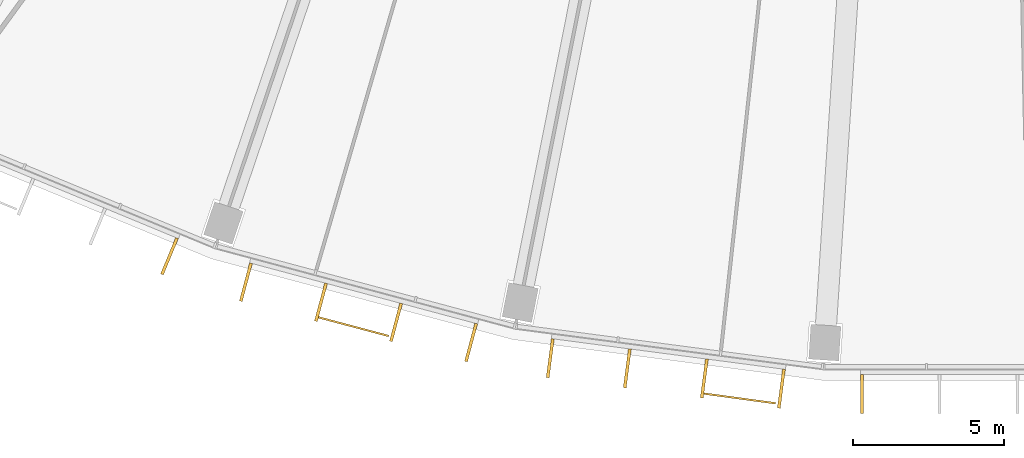
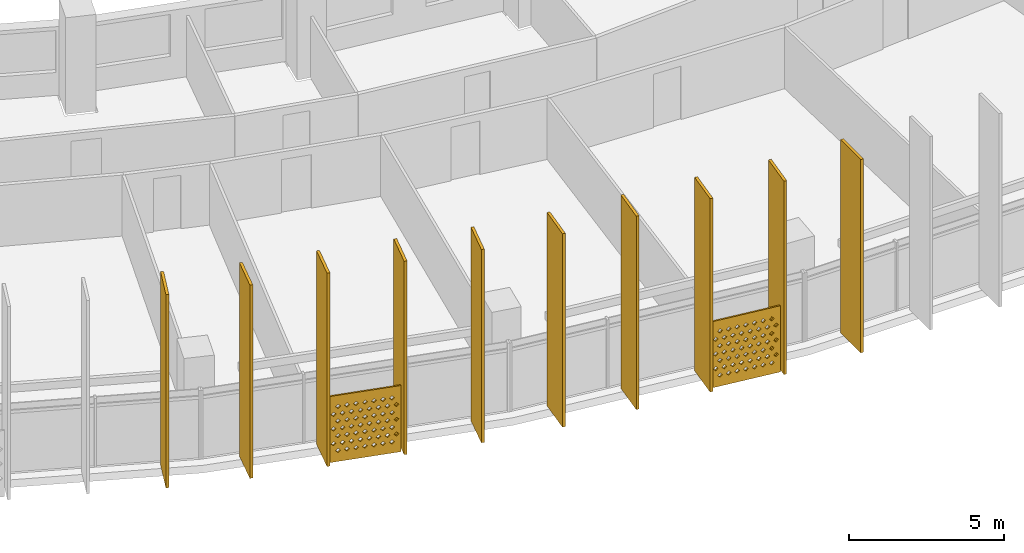
# One storey, part 24 of 30: 12 shading devices.
"""IFC4 building model written with IfcOpenShell, lengths in metres."""

from ifc_helpers import new_model, si_unit, direction, frame, origin, origin_2d, place, context, subcontext, project, spatial, polyline, rectangle, outline, extrude, material, material_profile, profile_set, type_object, element, save


model = new_model("IFC4")

# Units and contexts
model_context = context("Model", 3, precision=1e-05, world=origin(), true_north=direction((0.0, 1.0)))
body_context = subcontext(model_context, "Body", "Model", "MODEL_VIEW")
ifc_project = project(units=[si_unit("LENGTHUNIT", "METRE"), si_unit("AREAUNIT", "SQUARE_METRE"), si_unit("VOLUMEUNIT", "CUBIC_METRE"), si_unit("PLANEANGLEUNIT", "RADIAN"), si_unit("MASSUNIT", "GRAM", prefix="KILO")], contexts=[model_context])

# Site, building, storey
site_placement = place(None, origin())
site = spatial("IfcSite", under=ifc_project, at=site_placement, CompositionType="ELEMENT")
building_placement = place(site_placement, origin())
building = spatial("IfcBuilding", under=site, at=building_placement, Name="Qamariyya Broadcast Tower", CompositionType="ELEMENT")
storey_placement = place(building_placement, frame((0.0, 0.0, 203.699951171875)))
storey = spatial("IfcBuildingStorey", under=building, at=storey_placement, Name="L48", CompositionType="ELEMENT", Elevation=203.699951171875)

# Shading devices
ifc_material_1 = material(Name="Perforated glazed terracotta", Category="masonry")
ifc_material_profile_1 = material_profile(ifc_material_1, outline(polyline([(-1.199951171875, -1.300048828125), (1.199951171875, -1.300048828125), (1.199951171875, 1.300048828125), (-1.199951171875, 1.300048828125), (-1.199951171875, -1.300048828125)]), holes=[polyline([(-0.81494140625, -0.86669921875), (-0.89990234375, -0.78173828125), (-0.985107421875, -0.86669921875), (-0.89990234375, -0.95166015625), (-0.81494140625, -0.86669921875)]), polyline([(-0.514892578125, -0.86669921875), (-0.60009765625, -0.78173828125), (-0.68505859375, -0.86669921875), (-0.60009765625, -0.95166015625), (-0.514892578125, -0.86669921875)]), polyline([(-0.215087890625, -0.86669921875), (-0.300048828125, -0.78173828125), (-0.385009765625, -0.86669921875), (-0.300048828125, -0.95166015625), (-0.215087890625, -0.86669921875)]), polyline([(0.0849609375, -0.86669921875), (0.0, -0.78173828125), (-0.0849609375, -0.86669921875), (0.0, -0.95166015625), (0.0849609375, -0.86669921875)]), polyline([(0.385009765625, -0.86669921875), (0.300048828125, -0.78173828125), (0.215087890625, -0.86669921875), (0.300048828125, -0.95166015625), (0.385009765625, -0.86669921875)]), polyline([(0.68505859375, -0.86669921875), (0.60009765625, -0.78173828125), (0.514892578125, -0.86669921875), (0.60009765625, -0.95166015625), (0.68505859375, -0.86669921875)]), polyline([(0.985107421875, -0.86669921875), (0.89990234375, -0.78173828125), (0.81494140625, -0.86669921875), (0.89990234375, -0.95166015625), (0.985107421875, -0.86669921875)]), polyline([(-0.965087890625, -0.577880859375), (-1.050048828125, -0.49267578125), (-1.135009765625, -0.577880859375), (-1.050048828125, -0.662841796875), (-0.965087890625, -0.577880859375)]), polyline([(-0.6650390625, -0.577880859375), (-0.75, -0.49267578125), (-0.8349609375, -0.577880859375), (-0.75, -0.662841796875), (-0.6650390625, -0.577880859375)]), polyline([(-0.364990234375, -0.577880859375), (-0.449951171875, -0.49267578125), (-0.534912109375, -0.577880859375), (-0.449951171875, -0.662841796875), (-0.364990234375, -0.577880859375)]), polyline([(-0.06494140625, -0.577880859375), (-0.14990234375, -0.49267578125), (-0.235107421875, -0.577880859375), (-0.14990234375, -0.662841796875), (-0.06494140625, -0.577880859375)]), polyline([(0.235107421875, -0.577880859375), (0.14990234375, -0.49267578125), (0.06494140625, -0.577880859375), (0.14990234375, -0.662841796875), (0.235107421875, -0.577880859375)]), polyline([(0.534912109375, -0.577880859375), (0.449951171875, -0.49267578125), (0.364990234375, -0.577880859375), (0.449951171875, -0.662841796875), (0.534912109375, -0.577880859375)]), polyline([(0.8349609375, -0.577880859375), (0.75, -0.49267578125), (0.6650390625, -0.577880859375), (0.75, -0.662841796875), (0.8349609375, -0.577880859375)]), polyline([(1.135009765625, -0.577880859375), (1.050048828125, -0.49267578125), (0.965087890625, -0.577880859375), (1.050048828125, -0.662841796875), (1.135009765625, -0.577880859375)]), polyline([(-0.81494140625, -0.288818359375), (-0.89990234375, -0.203857421875), (-0.985107421875, -0.288818359375), (-0.89990234375, -0.373779296875), (-0.81494140625, -0.288818359375)]), polyline([(-0.514892578125, -0.288818359375), (-0.60009765625, -0.203857421875), (-0.68505859375, -0.288818359375), (-0.60009765625, -0.373779296875), (-0.514892578125, -0.288818359375)]), polyline([(-0.215087890625, -0.288818359375), (-0.300048828125, -0.203857421875), (-0.385009765625, -0.288818359375), (-0.300048828125, -0.373779296875), (-0.215087890625, -0.288818359375)]), polyline([(0.0849609375, -0.288818359375), (0.0, -0.203857421875), (-0.0849609375, -0.288818359375), (0.0, -0.373779296875), (0.0849609375, -0.288818359375)]), polyline([(0.385009765625, -0.288818359375), (0.300048828125, -0.203857421875), (0.215087890625, -0.288818359375), (0.300048828125, -0.373779296875), (0.385009765625, -0.288818359375)]), polyline([(0.68505859375, -0.288818359375), (0.60009765625, -0.203857421875), (0.514892578125, -0.288818359375), (0.60009765625, -0.373779296875), (0.68505859375, -0.288818359375)]), polyline([(0.985107421875, -0.288818359375), (0.89990234375, -0.203857421875), (0.81494140625, -0.288818359375), (0.89990234375, -0.373779296875), (0.985107421875, -0.288818359375)]), polyline([(-0.965087890625, 0.0), (-1.050048828125, 0.0849609375), (-1.135009765625, 0.0), (-1.050048828125, -0.0849609375), (-0.965087890625, 0.0)]), polyline([(-0.6650390625, 0.0), (-0.75, 0.0849609375), (-0.8349609375, 0.0), (-0.75, -0.0849609375), (-0.6650390625, 0.0)]), polyline([(-0.364990234375, 0.0), (-0.449951171875, 0.0849609375), (-0.534912109375, 0.0), (-0.449951171875, -0.0849609375), (-0.364990234375, 0.0)]), polyline([(-0.06494140625, 0.0), (-0.14990234375, 0.0849609375), (-0.235107421875, 0.0), (-0.14990234375, -0.0849609375), (-0.06494140625, 0.0)]), polyline([(0.235107421875, 0.0), (0.14990234375, 0.0849609375), (0.06494140625, 0.0), (0.14990234375, -0.0849609375), (0.235107421875, 0.0)]), polyline([(0.534912109375, 0.0), (0.449951171875, 0.0849609375), (0.364990234375, 0.0), (0.449951171875, -0.0849609375), (0.534912109375, 0.0)]), polyline([(0.8349609375, 0.0), (0.75, 0.0849609375), (0.6650390625, 0.0), (0.75, -0.0849609375), (0.8349609375, 0.0)]), polyline([(1.135009765625, 0.0), (1.050048828125, 0.0849609375), (0.965087890625, 0.0), (1.050048828125, -0.0849609375), (1.135009765625, 0.0)]), polyline([(-0.81494140625, 0.288818359375), (-0.89990234375, 0.373779296875), (-0.985107421875, 0.288818359375), (-0.89990234375, 0.203857421875), (-0.81494140625, 0.288818359375)]), polyline([(-0.514892578125, 0.288818359375), (-0.60009765625, 0.373779296875), (-0.68505859375, 0.288818359375), (-0.60009765625, 0.203857421875), (-0.514892578125, 0.288818359375)]), polyline([(-0.215087890625, 0.288818359375), (-0.300048828125, 0.373779296875), (-0.385009765625, 0.288818359375), (-0.300048828125, 0.203857421875), (-0.215087890625, 0.288818359375)]), polyline([(0.0849609375, 0.288818359375), (0.0, 0.373779296875), (-0.0849609375, 0.288818359375), (0.0, 0.203857421875), (0.0849609375, 0.288818359375)]), polyline([(0.385009765625, 0.288818359375), (0.300048828125, 0.373779296875), (0.215087890625, 0.288818359375), (0.300048828125, 0.203857421875), (0.385009765625, 0.288818359375)]), polyline([(0.68505859375, 0.288818359375), (0.60009765625, 0.373779296875), (0.514892578125, 0.288818359375), (0.60009765625, 0.203857421875), (0.68505859375, 0.288818359375)]), polyline([(0.985107421875, 0.288818359375), (0.89990234375, 0.373779296875), (0.81494140625, 0.288818359375), (0.89990234375, 0.203857421875), (0.985107421875, 0.288818359375)]), polyline([(-0.965087890625, 0.577880859375), (-1.050048828125, 0.662841796875), (-1.135009765625, 0.577880859375), (-1.050048828125, 0.49267578125), (-0.965087890625, 0.577880859375)]), polyline([(-0.6650390625, 0.577880859375), (-0.75, 0.662841796875), (-0.8349609375, 0.577880859375), (-0.75, 0.49267578125), (-0.6650390625, 0.577880859375)]), polyline([(-0.364990234375, 0.577880859375), (-0.449951171875, 0.662841796875), (-0.534912109375, 0.577880859375), (-0.449951171875, 0.49267578125), (-0.364990234375, 0.577880859375)]), polyline([(-0.06494140625, 0.577880859375), (-0.14990234375, 0.662841796875), (-0.235107421875, 0.577880859375), (-0.14990234375, 0.49267578125), (-0.06494140625, 0.577880859375)]), polyline([(0.235107421875, 0.577880859375), (0.14990234375, 0.662841796875), (0.06494140625, 0.577880859375), (0.14990234375, 0.49267578125), (0.235107421875, 0.577880859375)]), polyline([(0.534912109375, 0.577880859375), (0.449951171875, 0.662841796875), (0.364990234375, 0.577880859375), (0.449951171875, 0.49267578125), (0.534912109375, 0.577880859375)]), polyline([(0.8349609375, 0.577880859375), (0.75, 0.662841796875), (0.6650390625, 0.577880859375), (0.75, 0.49267578125), (0.8349609375, 0.577880859375)]), polyline([(1.135009765625, 0.577880859375), (1.050048828125, 0.662841796875), (0.965087890625, 0.577880859375), (1.050048828125, 0.49267578125), (1.135009765625, 0.577880859375)]), polyline([(-0.81494140625, 0.86669921875), (-0.89990234375, 0.95166015625), (-0.985107421875, 0.86669921875), (-0.89990234375, 0.78173828125), (-0.81494140625, 0.86669921875)]), polyline([(-0.514892578125, 0.86669921875), (-0.60009765625, 0.95166015625), (-0.68505859375, 0.86669921875), (-0.60009765625, 0.78173828125), (-0.514892578125, 0.86669921875)]), polyline([(-0.215087890625, 0.86669921875), (-0.300048828125, 0.95166015625), (-0.385009765625, 0.86669921875), (-0.300048828125, 0.78173828125), (-0.215087890625, 0.86669921875)]), polyline([(0.0849609375, 0.86669921875), (0.0, 0.95166015625), (-0.0849609375, 0.86669921875), (0.0, 0.78173828125), (0.0849609375, 0.86669921875)]), polyline([(0.385009765625, 0.86669921875), (0.300048828125, 0.95166015625), (0.215087890625, 0.86669921875), (0.300048828125, 0.78173828125), (0.385009765625, 0.86669921875)]), polyline([(0.68505859375, 0.86669921875), (0.60009765625, 0.95166015625), (0.514892578125, 0.86669921875), (0.60009765625, 0.78173828125), (0.68505859375, 0.86669921875)]), polyline([(0.985107421875, 0.86669921875), (0.89990234375, 0.95166015625), (0.81494140625, 0.86669921875), (0.89990234375, 0.78173828125), (0.985107421875, 0.86669921875)])]))
ifc_profile_set_1 = profile_set([ifc_material_profile_1], Name="Perforated glazed terracotta")
shading_device_type_1 = type_object("IfcShadingDeviceType", Name="Perforated terracotta screen 2400 x 2600", PredefinedType="USERDEFINED", material=ifc_profile_set_1)
shading_device_1_placement = place(storey_placement, frame((-20.676025390625, -77.02490234375, 1.35009765625), z_axis=(-0.256901156343, -0.966437683387, 0.0), x_axis=(0.966437683387, -0.256901156343, 0.0)))
element("IfcShadingDevice", 1, at=shading_device_1_placement, inside=storey, type_object=shading_device_type_1, Name="e-scr-L48-06-1", ObjectType="SCREEN", PredefinedType="USERDEFINED", context=body_context, shape_type="SweptSolid", body=[
    extrude(outline(polyline([(-1.199951171875, -1.300048828125), (1.199951171875, -1.300048828125), (1.199951171875, 1.300048828125), (-1.199951171875, 1.300048828125), (-1.199951171875, -1.300048828125)]), holes=[polyline([(-0.81494140625, -0.86669921875), (-0.89990234375, -0.78173828125), (-0.985107421875, -0.86669921875), (-0.89990234375, -0.95166015625), (-0.81494140625, -0.86669921875)]), polyline([(-0.514892578125, -0.86669921875), (-0.60009765625, -0.78173828125), (-0.68505859375, -0.86669921875), (-0.60009765625, -0.95166015625), (-0.514892578125, -0.86669921875)]), polyline([(-0.215087890625, -0.86669921875), (-0.300048828125, -0.78173828125), (-0.385009765625, -0.86669921875), (-0.300048828125, -0.95166015625), (-0.215087890625, -0.86669921875)]), polyline([(0.0849609375, -0.86669921875), (0.0, -0.78173828125), (-0.0849609375, -0.86669921875), (0.0, -0.95166015625), (0.0849609375, -0.86669921875)]), polyline([(0.385009765625, -0.86669921875), (0.300048828125, -0.78173828125), (0.215087890625, -0.86669921875), (0.300048828125, -0.95166015625), (0.385009765625, -0.86669921875)]), polyline([(0.68505859375, -0.86669921875), (0.60009765625, -0.78173828125), (0.514892578125, -0.86669921875), (0.60009765625, -0.95166015625), (0.68505859375, -0.86669921875)]), polyline([(0.985107421875, -0.86669921875), (0.89990234375, -0.78173828125), (0.81494140625, -0.86669921875), (0.89990234375, -0.95166015625), (0.985107421875, -0.86669921875)]), polyline([(-0.965087890625, -0.577880859375), (-1.050048828125, -0.49267578125), (-1.135009765625, -0.577880859375), (-1.050048828125, -0.662841796875), (-0.965087890625, -0.577880859375)]), polyline([(-0.6650390625, -0.577880859375), (-0.75, -0.49267578125), (-0.8349609375, -0.577880859375), (-0.75, -0.662841796875), (-0.6650390625, -0.577880859375)]), polyline([(-0.364990234375, -0.577880859375), (-0.449951171875, -0.49267578125), (-0.534912109375, -0.577880859375), (-0.449951171875, -0.662841796875), (-0.364990234375, -0.577880859375)]), polyline([(-0.06494140625, -0.577880859375), (-0.14990234375, -0.49267578125), (-0.235107421875, -0.577880859375), (-0.14990234375, -0.662841796875), (-0.06494140625, -0.577880859375)]), polyline([(0.235107421875, -0.577880859375), (0.14990234375, -0.49267578125), (0.06494140625, -0.577880859375), (0.14990234375, -0.662841796875), (0.235107421875, -0.577880859375)]), polyline([(0.534912109375, -0.577880859375), (0.449951171875, -0.49267578125), (0.364990234375, -0.577880859375), (0.449951171875, -0.662841796875), (0.534912109375, -0.577880859375)]), polyline([(0.8349609375, -0.577880859375), (0.75, -0.49267578125), (0.6650390625, -0.577880859375), (0.75, -0.662841796875), (0.8349609375, -0.577880859375)]), polyline([(1.135009765625, -0.577880859375), (1.050048828125, -0.49267578125), (0.965087890625, -0.577880859375), (1.050048828125, -0.662841796875), (1.135009765625, -0.577880859375)]), polyline([(-0.81494140625, -0.288818359375), (-0.89990234375, -0.203857421875), (-0.985107421875, -0.288818359375), (-0.89990234375, -0.373779296875), (-0.81494140625, -0.288818359375)]), polyline([(-0.514892578125, -0.288818359375), (-0.60009765625, -0.203857421875), (-0.68505859375, -0.288818359375), (-0.60009765625, -0.373779296875), (-0.514892578125, -0.288818359375)]), polyline([(-0.215087890625, -0.288818359375), (-0.300048828125, -0.203857421875), (-0.385009765625, -0.288818359375), (-0.300048828125, -0.373779296875), (-0.215087890625, -0.288818359375)]), polyline([(0.0849609375, -0.288818359375), (0.0, -0.203857421875), (-0.0849609375, -0.288818359375), (0.0, -0.373779296875), (0.0849609375, -0.288818359375)]), polyline([(0.385009765625, -0.288818359375), (0.300048828125, -0.203857421875), (0.215087890625, -0.288818359375), (0.300048828125, -0.373779296875), (0.385009765625, -0.288818359375)]), polyline([(0.68505859375, -0.288818359375), (0.60009765625, -0.203857421875), (0.514892578125, -0.288818359375), (0.60009765625, -0.373779296875), (0.68505859375, -0.288818359375)]), polyline([(0.985107421875, -0.288818359375), (0.89990234375, -0.203857421875), (0.81494140625, -0.288818359375), (0.89990234375, -0.373779296875), (0.985107421875, -0.288818359375)]), polyline([(-0.965087890625, 0.0), (-1.050048828125, 0.0849609375), (-1.135009765625, 0.0), (-1.050048828125, -0.0849609375), (-0.965087890625, 0.0)]), polyline([(-0.6650390625, 0.0), (-0.75, 0.0849609375), (-0.8349609375, 0.0), (-0.75, -0.0849609375), (-0.6650390625, 0.0)]), polyline([(-0.364990234375, 0.0), (-0.449951171875, 0.0849609375), (-0.534912109375, 0.0), (-0.449951171875, -0.0849609375), (-0.364990234375, 0.0)]), polyline([(-0.06494140625, 0.0), (-0.14990234375, 0.0849609375), (-0.235107421875, 0.0), (-0.14990234375, -0.0849609375), (-0.06494140625, 0.0)]), polyline([(0.235107421875, 0.0), (0.14990234375, 0.0849609375), (0.06494140625, 0.0), (0.14990234375, -0.0849609375), (0.235107421875, 0.0)]), polyline([(0.534912109375, 0.0), (0.449951171875, 0.0849609375), (0.364990234375, 0.0), (0.449951171875, -0.0849609375), (0.534912109375, 0.0)]), polyline([(0.8349609375, 0.0), (0.75, 0.0849609375), (0.6650390625, 0.0), (0.75, -0.0849609375), (0.8349609375, 0.0)]), polyline([(1.135009765625, 0.0), (1.050048828125, 0.0849609375), (0.965087890625, 0.0), (1.050048828125, -0.0849609375), (1.135009765625, 0.0)]), polyline([(-0.81494140625, 0.288818359375), (-0.89990234375, 0.373779296875), (-0.985107421875, 0.288818359375), (-0.89990234375, 0.203857421875), (-0.81494140625, 0.288818359375)]), polyline([(-0.514892578125, 0.288818359375), (-0.60009765625, 0.373779296875), (-0.68505859375, 0.288818359375), (-0.60009765625, 0.203857421875), (-0.514892578125, 0.288818359375)]), polyline([(-0.215087890625, 0.288818359375), (-0.300048828125, 0.373779296875), (-0.385009765625, 0.288818359375), (-0.300048828125, 0.203857421875), (-0.215087890625, 0.288818359375)]), polyline([(0.0849609375, 0.288818359375), (0.0, 0.373779296875), (-0.0849609375, 0.288818359375), (0.0, 0.203857421875), (0.0849609375, 0.288818359375)]), polyline([(0.385009765625, 0.288818359375), (0.300048828125, 0.373779296875), (0.215087890625, 0.288818359375), (0.300048828125, 0.203857421875), (0.385009765625, 0.288818359375)]), polyline([(0.68505859375, 0.288818359375), (0.60009765625, 0.373779296875), (0.514892578125, 0.288818359375), (0.60009765625, 0.203857421875), (0.68505859375, 0.288818359375)]), polyline([(0.985107421875, 0.288818359375), (0.89990234375, 0.373779296875), (0.81494140625, 0.288818359375), (0.89990234375, 0.203857421875), (0.985107421875, 0.288818359375)]), polyline([(-0.965087890625, 0.577880859375), (-1.050048828125, 0.662841796875), (-1.135009765625, 0.577880859375), (-1.050048828125, 0.49267578125), (-0.965087890625, 0.577880859375)]), polyline([(-0.6650390625, 0.577880859375), (-0.75, 0.662841796875), (-0.8349609375, 0.577880859375), (-0.75, 0.49267578125), (-0.6650390625, 0.577880859375)]), polyline([(-0.364990234375, 0.577880859375), (-0.449951171875, 0.662841796875), (-0.534912109375, 0.577880859375), (-0.449951171875, 0.49267578125), (-0.364990234375, 0.577880859375)]), polyline([(-0.06494140625, 0.577880859375), (-0.14990234375, 0.662841796875), (-0.235107421875, 0.577880859375), (-0.14990234375, 0.49267578125), (-0.06494140625, 0.577880859375)]), polyline([(0.235107421875, 0.577880859375), (0.14990234375, 0.662841796875), (0.06494140625, 0.577880859375), (0.14990234375, 0.49267578125), (0.235107421875, 0.577880859375)]), polyline([(0.534912109375, 0.577880859375), (0.449951171875, 0.662841796875), (0.364990234375, 0.577880859375), (0.449951171875, 0.49267578125), (0.534912109375, 0.577880859375)]), polyline([(0.8349609375, 0.577880859375), (0.75, 0.662841796875), (0.6650390625, 0.577880859375), (0.75, 0.49267578125), (0.8349609375, 0.577880859375)]), polyline([(1.135009765625, 0.577880859375), (1.050048828125, 0.662841796875), (0.965087890625, 0.577880859375), (1.050048828125, 0.49267578125), (1.135009765625, 0.577880859375)]), polyline([(-0.81494140625, 0.86669921875), (-0.89990234375, 0.95166015625), (-0.985107421875, 0.86669921875), (-0.89990234375, 0.78173828125), (-0.81494140625, 0.86669921875)]), polyline([(-0.514892578125, 0.86669921875), (-0.60009765625, 0.95166015625), (-0.68505859375, 0.86669921875), (-0.60009765625, 0.78173828125), (-0.514892578125, 0.86669921875)]), polyline([(-0.215087890625, 0.86669921875), (-0.300048828125, 0.95166015625), (-0.385009765625, 0.86669921875), (-0.300048828125, 0.78173828125), (-0.215087890625, 0.86669921875)]), polyline([(0.0849609375, 0.86669921875), (0.0, 0.95166015625), (-0.0849609375, 0.86669921875), (0.0, 0.78173828125), (0.0849609375, 0.86669921875)]), polyline([(0.385009765625, 0.86669921875), (0.300048828125, 0.95166015625), (0.215087890625, 0.86669921875), (0.300048828125, 0.78173828125), (0.385009765625, 0.86669921875)]), polyline([(0.68505859375, 0.86669921875), (0.60009765625, 0.95166015625), (0.514892578125, 0.86669921875), (0.60009765625, 0.78173828125), (0.68505859375, 0.86669921875)]), polyline([(0.985107421875, 0.86669921875), (0.89990234375, 0.95166015625), (0.81494140625, 0.86669921875), (0.89990234375, 0.78173828125), (0.985107421875, 0.86669921875)])]), origin(), (0.0, 0.0, 1.0), 0.059814453125),
])
shading_device_2_placement = place(storey_placement, frame((-7.895263671875, -79.400390625, 1.35009765625), z_axis=(-0.13456727237, -0.990904460181, 0.0), x_axis=(0.990904460181, -0.13456727237, 0.0)))
element("IfcShadingDevice", 2, at=shading_device_2_placement, inside=storey, type_object=shading_device_type_1, Name="e-scr-L48-07-2", ObjectType="SCREEN", PredefinedType="USERDEFINED", context=body_context, shape_type="SweptSolid", body=[
    extrude(outline(polyline([(-1.199951171875, -1.300048828125), (1.199951171875, -1.300048828125), (1.199951171875, 1.300048828125), (-1.199951171875, 1.300048828125), (-1.199951171875, -1.300048828125)]), holes=[polyline([(-0.81494140625, -0.86669921875), (-0.89990234375, -0.78173828125), (-0.985107421875, -0.86669921875), (-0.89990234375, -0.95166015625), (-0.81494140625, -0.86669921875)]), polyline([(-0.514892578125, -0.86669921875), (-0.60009765625, -0.78173828125), (-0.68505859375, -0.86669921875), (-0.60009765625, -0.95166015625), (-0.514892578125, -0.86669921875)]), polyline([(-0.215087890625, -0.86669921875), (-0.300048828125, -0.78173828125), (-0.385009765625, -0.86669921875), (-0.300048828125, -0.95166015625), (-0.215087890625, -0.86669921875)]), polyline([(0.0849609375, -0.86669921875), (0.0, -0.78173828125), (-0.0849609375, -0.86669921875), (0.0, -0.95166015625), (0.0849609375, -0.86669921875)]), polyline([(0.385009765625, -0.86669921875), (0.300048828125, -0.78173828125), (0.215087890625, -0.86669921875), (0.300048828125, -0.95166015625), (0.385009765625, -0.86669921875)]), polyline([(0.68505859375, -0.86669921875), (0.60009765625, -0.78173828125), (0.514892578125, -0.86669921875), (0.60009765625, -0.95166015625), (0.68505859375, -0.86669921875)]), polyline([(0.985107421875, -0.86669921875), (0.89990234375, -0.78173828125), (0.81494140625, -0.86669921875), (0.89990234375, -0.95166015625), (0.985107421875, -0.86669921875)]), polyline([(-0.965087890625, -0.577880859375), (-1.050048828125, -0.49267578125), (-1.135009765625, -0.577880859375), (-1.050048828125, -0.662841796875), (-0.965087890625, -0.577880859375)]), polyline([(-0.6650390625, -0.577880859375), (-0.75, -0.49267578125), (-0.8349609375, -0.577880859375), (-0.75, -0.662841796875), (-0.6650390625, -0.577880859375)]), polyline([(-0.364990234375, -0.577880859375), (-0.449951171875, -0.49267578125), (-0.534912109375, -0.577880859375), (-0.449951171875, -0.662841796875), (-0.364990234375, -0.577880859375)]), polyline([(-0.06494140625, -0.577880859375), (-0.14990234375, -0.49267578125), (-0.235107421875, -0.577880859375), (-0.14990234375, -0.662841796875), (-0.06494140625, -0.577880859375)]), polyline([(0.235107421875, -0.577880859375), (0.14990234375, -0.49267578125), (0.06494140625, -0.577880859375), (0.14990234375, -0.662841796875), (0.235107421875, -0.577880859375)]), polyline([(0.534912109375, -0.577880859375), (0.449951171875, -0.49267578125), (0.364990234375, -0.577880859375), (0.449951171875, -0.662841796875), (0.534912109375, -0.577880859375)]), polyline([(0.8349609375, -0.577880859375), (0.75, -0.49267578125), (0.6650390625, -0.577880859375), (0.75, -0.662841796875), (0.8349609375, -0.577880859375)]), polyline([(1.135009765625, -0.577880859375), (1.050048828125, -0.49267578125), (0.965087890625, -0.577880859375), (1.050048828125, -0.662841796875), (1.135009765625, -0.577880859375)]), polyline([(-0.81494140625, -0.288818359375), (-0.89990234375, -0.203857421875), (-0.985107421875, -0.288818359375), (-0.89990234375, -0.373779296875), (-0.81494140625, -0.288818359375)]), polyline([(-0.514892578125, -0.288818359375), (-0.60009765625, -0.203857421875), (-0.68505859375, -0.288818359375), (-0.60009765625, -0.373779296875), (-0.514892578125, -0.288818359375)]), polyline([(-0.215087890625, -0.288818359375), (-0.300048828125, -0.203857421875), (-0.385009765625, -0.288818359375), (-0.300048828125, -0.373779296875), (-0.215087890625, -0.288818359375)]), polyline([(0.0849609375, -0.288818359375), (0.0, -0.203857421875), (-0.0849609375, -0.288818359375), (0.0, -0.373779296875), (0.0849609375, -0.288818359375)]), polyline([(0.385009765625, -0.288818359375), (0.300048828125, -0.203857421875), (0.215087890625, -0.288818359375), (0.300048828125, -0.373779296875), (0.385009765625, -0.288818359375)]), polyline([(0.68505859375, -0.288818359375), (0.60009765625, -0.203857421875), (0.514892578125, -0.288818359375), (0.60009765625, -0.373779296875), (0.68505859375, -0.288818359375)]), polyline([(0.985107421875, -0.288818359375), (0.89990234375, -0.203857421875), (0.81494140625, -0.288818359375), (0.89990234375, -0.373779296875), (0.985107421875, -0.288818359375)]), polyline([(-0.965087890625, 0.0), (-1.050048828125, 0.0849609375), (-1.135009765625, 0.0), (-1.050048828125, -0.0849609375), (-0.965087890625, 0.0)]), polyline([(-0.6650390625, 0.0), (-0.75, 0.0849609375), (-0.8349609375, 0.0), (-0.75, -0.0849609375), (-0.6650390625, 0.0)]), polyline([(-0.364990234375, 0.0), (-0.449951171875, 0.0849609375), (-0.534912109375, 0.0), (-0.449951171875, -0.0849609375), (-0.364990234375, 0.0)]), polyline([(-0.06494140625, 0.0), (-0.14990234375, 0.0849609375), (-0.235107421875, 0.0), (-0.14990234375, -0.0849609375), (-0.06494140625, 0.0)]), polyline([(0.235107421875, 0.0), (0.14990234375, 0.0849609375), (0.06494140625, 0.0), (0.14990234375, -0.0849609375), (0.235107421875, 0.0)]), polyline([(0.534912109375, 0.0), (0.449951171875, 0.0849609375), (0.364990234375, 0.0), (0.449951171875, -0.0849609375), (0.534912109375, 0.0)]), polyline([(0.8349609375, 0.0), (0.75, 0.0849609375), (0.6650390625, 0.0), (0.75, -0.0849609375), (0.8349609375, 0.0)]), polyline([(1.135009765625, 0.0), (1.050048828125, 0.0849609375), (0.965087890625, 0.0), (1.050048828125, -0.0849609375), (1.135009765625, 0.0)]), polyline([(-0.81494140625, 0.288818359375), (-0.89990234375, 0.373779296875), (-0.985107421875, 0.288818359375), (-0.89990234375, 0.203857421875), (-0.81494140625, 0.288818359375)]), polyline([(-0.514892578125, 0.288818359375), (-0.60009765625, 0.373779296875), (-0.68505859375, 0.288818359375), (-0.60009765625, 0.203857421875), (-0.514892578125, 0.288818359375)]), polyline([(-0.215087890625, 0.288818359375), (-0.300048828125, 0.373779296875), (-0.385009765625, 0.288818359375), (-0.300048828125, 0.203857421875), (-0.215087890625, 0.288818359375)]), polyline([(0.0849609375, 0.288818359375), (0.0, 0.373779296875), (-0.0849609375, 0.288818359375), (0.0, 0.203857421875), (0.0849609375, 0.288818359375)]), polyline([(0.385009765625, 0.288818359375), (0.300048828125, 0.373779296875), (0.215087890625, 0.288818359375), (0.300048828125, 0.203857421875), (0.385009765625, 0.288818359375)]), polyline([(0.68505859375, 0.288818359375), (0.60009765625, 0.373779296875), (0.514892578125, 0.288818359375), (0.60009765625, 0.203857421875), (0.68505859375, 0.288818359375)]), polyline([(0.985107421875, 0.288818359375), (0.89990234375, 0.373779296875), (0.81494140625, 0.288818359375), (0.89990234375, 0.203857421875), (0.985107421875, 0.288818359375)]), polyline([(-0.965087890625, 0.577880859375), (-1.050048828125, 0.662841796875), (-1.135009765625, 0.577880859375), (-1.050048828125, 0.49267578125), (-0.965087890625, 0.577880859375)]), polyline([(-0.6650390625, 0.577880859375), (-0.75, 0.662841796875), (-0.8349609375, 0.577880859375), (-0.75, 0.49267578125), (-0.6650390625, 0.577880859375)]), polyline([(-0.364990234375, 0.577880859375), (-0.449951171875, 0.662841796875), (-0.534912109375, 0.577880859375), (-0.449951171875, 0.49267578125), (-0.364990234375, 0.577880859375)]), polyline([(-0.06494140625, 0.577880859375), (-0.14990234375, 0.662841796875), (-0.235107421875, 0.577880859375), (-0.14990234375, 0.49267578125), (-0.06494140625, 0.577880859375)]), polyline([(0.235107421875, 0.577880859375), (0.14990234375, 0.662841796875), (0.06494140625, 0.577880859375), (0.14990234375, 0.49267578125), (0.235107421875, 0.577880859375)]), polyline([(0.534912109375, 0.577880859375), (0.449951171875, 0.662841796875), (0.364990234375, 0.577880859375), (0.449951171875, 0.49267578125), (0.534912109375, 0.577880859375)]), polyline([(0.8349609375, 0.577880859375), (0.75, 0.662841796875), (0.6650390625, 0.577880859375), (0.75, 0.49267578125), (0.8349609375, 0.577880859375)]), polyline([(1.135009765625, 0.577880859375), (1.050048828125, 0.662841796875), (0.965087890625, 0.577880859375), (1.050048828125, 0.49267578125), (1.135009765625, 0.577880859375)]), polyline([(-0.81494140625, 0.86669921875), (-0.89990234375, 0.95166015625), (-0.985107421875, 0.86669921875), (-0.89990234375, 0.78173828125), (-0.81494140625, 0.86669921875)]), polyline([(-0.514892578125, 0.86669921875), (-0.60009765625, 0.95166015625), (-0.68505859375, 0.86669921875), (-0.60009765625, 0.78173828125), (-0.514892578125, 0.86669921875)]), polyline([(-0.215087890625, 0.86669921875), (-0.300048828125, 0.95166015625), (-0.385009765625, 0.86669921875), (-0.300048828125, 0.78173828125), (-0.215087890625, 0.86669921875)]), polyline([(0.0849609375, 0.86669921875), (0.0, 0.95166015625), (-0.0849609375, 0.86669921875), (0.0, 0.78173828125), (0.0849609375, 0.86669921875)]), polyline([(0.385009765625, 0.86669921875), (0.300048828125, 0.95166015625), (0.215087890625, 0.86669921875), (0.300048828125, 0.78173828125), (0.385009765625, 0.86669921875)]), polyline([(0.68505859375, 0.86669921875), (0.60009765625, 0.95166015625), (0.514892578125, 0.86669921875), (0.60009765625, 0.78173828125), (0.68505859375, 0.86669921875)]), polyline([(0.985107421875, 0.86669921875), (0.89990234375, 0.95166015625), (0.81494140625, 0.86669921875), (0.89990234375, 0.78173828125), (0.985107421875, 0.86669921875)])]), origin(), (0.0, 0.0, 1.0), 0.059814453125),
])
ifc_material_2 = material(Name="Glazed terracotta", Category="masonry")
ifc_material_profile_2 = material_profile(ifc_material_2, rectangle(XDim=1.300048828125, YDim=0.10009765625, at=origin_2d()))
ifc_profile_set_2 = profile_set([ifc_material_profile_2], Name="Glazed terracotta")
shading_device_type_2 = type_object("IfcShadingDeviceType", Name="Terracotta fin 100 x 1300", PredefinedType="USERDEFINED", material=ifc_profile_set_2)
for number, where, z_axis, x_axis, name in (
    (3, (-26.775390625, -74.72314453125, 0.0), (0.0, 0.0, 1.0), (-0.382683432365, -0.923879532511, 0.0), "e-fin-L48-05-3"),
    (4, (-24.24609375, -75.58154296875, 0.0), (0.0, 0.0, 1.0), (-0.258819045103, -0.965925826289, 0.0), "e-fin-L48-06-0"),
    (5, (-21.76171875, -76.247314453125, 0.0), (0.0, 0.0, 1.0), (-0.258819045103, -0.965925826289, 0.0), "e-fin-L48-06-1"),
    (6, (-19.27734375, -76.9130859375, 0.0), (0.0, 0.0, 1.0), (-0.258819045103, -0.965925826289, 0.0), "e-fin-L48-06-2"),
    (7, (-16.79296875, -77.57861328125, 0.0), (0.0, 0.0, 1.0), (-0.258819045103, -0.965925826289, 0.0), "e-fin-L48-06-3"),
    (8, (-14.17333984375, -78.099853515625, 0.0), (0.0, 0.0, 1.0), (-0.13052619222, -0.991444861374, 0.0), "e-fin-L48-07-0"),
    (9, (-11.623291015625, -78.435546875, 0.0), (0.0, 0.0, 1.0), (-0.13052619222, -0.991444861374, 0.0), "e-fin-L48-07-1"),
    (10, (-9.0732421875, -78.771240234375, 0.0), (0.0, 0.0, 1.0), (-0.13052619222, -0.991444861374, 0.0), "e-fin-L48-07-2"),
    (11, (-6.5234375, -79.10693359375, 0.0), (0.0, 0.0, 1.0), (-0.13052619222, -0.991444861374, 0.0), "e-fin-L48-07-3"),
    (12, (-3.85791015625, -79.281494140625, 0.0), (0.0, 0.0, 1.0), (0.0, -1.0, 0.0), "e-fin-L48-08-0"),
):
    element("IfcShadingDevice", number, at=place(storey_placement, frame(where, z_axis=z_axis, x_axis=x_axis)), inside=storey, type_object=shading_device_type_2, Name=name, ObjectType="FIN", PredefinedType="USERDEFINED", context=body_context, shape_type="SweptSolid", body=[
        extrude(rectangle(XDim=1.300048828125, YDim=0.10009765625, at=origin_2d()), origin(), (0.0, 0.0, 1.0), 7.60009765625),
    ])

save(model, "model.ifc")
